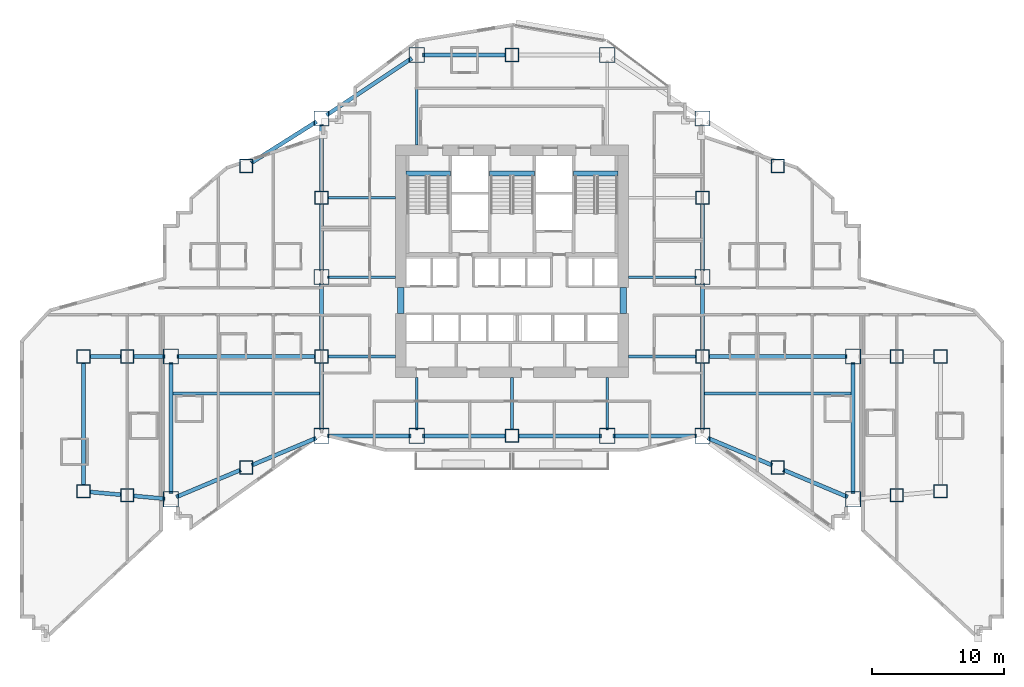
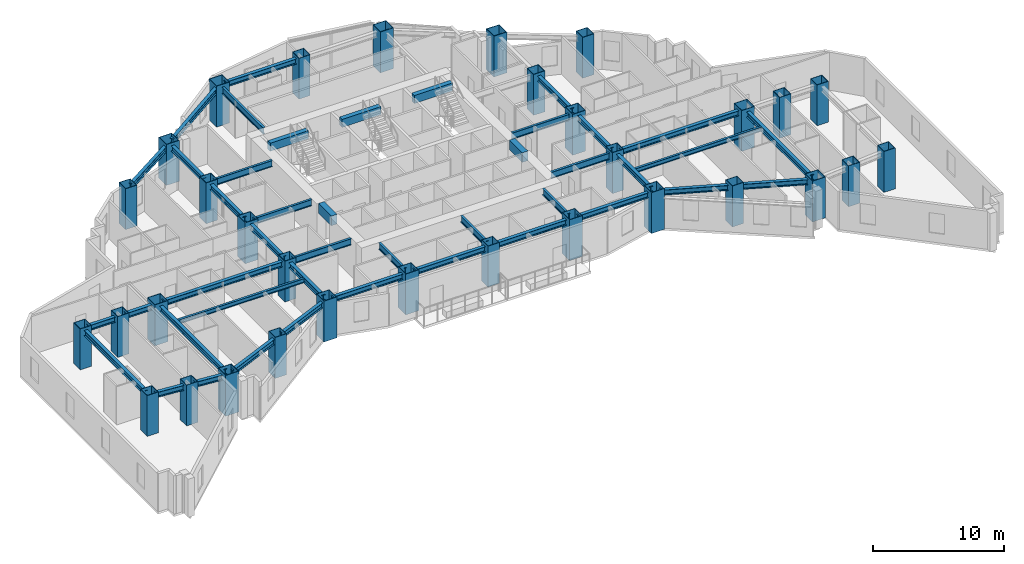
# One storey, part 1 of 16: 43 beams, 32 columns.
"""IFC4 building model written with IfcOpenShell, lengths in metres."""

from ifc_helpers import new_model, si_unit, direction, frame, origin, origin_2d, place, context, subcontext, project, spatial, rectangle, hollow_rectangle, i_section, extrude, material, material_profile, profile_set, type_object, element, save


model = new_model("IFC4")

# Units and contexts
model_context = context("Model", 3, precision=1e-05, world=origin(), true_north=direction((0.0, 1.0)))
body_context = subcontext(model_context, "Body", "Model", "MODEL_VIEW")
ifc_project = project(units=[si_unit("LENGTHUNIT", "METRE"), si_unit("AREAUNIT", "SQUARE_METRE"), si_unit("VOLUMEUNIT", "CUBIC_METRE"), si_unit("PLANEANGLEUNIT", "RADIAN"), si_unit("MASSUNIT", "GRAM", prefix="KILO")], contexts=[model_context])

# Site, building, storey
site_placement = place(None, origin())
site = spatial("IfcSite", under=ifc_project, at=site_placement, CompositionType="ELEMENT")
building_placement = place(site_placement, origin())
building = spatial("IfcBuilding", under=site, at=building_placement, Name="Haolan Belvedere Tower", CompositionType="ELEMENT")
storey_placement = place(building_placement, frame((0.0, 0.0, 85.60009765625)))
storey = spatial("IfcBuildingStorey", under=building, at=storey_placement, Name="L21", CompositionType="ELEMENT", Elevation=85.60009765625)

# Columns
ifc_material_1 = material(Name="Steel Q420GJC", Category="steel")
ifc_material_profile_1 = material_profile(ifc_material_1, hollow_rectangle(XDim=1.0, YDim=1.0, WallThickness=0.0380859375, at=origin_2d()), Name="Steel Q420GJC")
ifc_profile_set_1 = profile_set([ifc_material_profile_1], Name="Steel Q420GJC")
column_type_1 = type_object("IfcColumnType", Name="COL-BOX1000x1000x38", PredefinedType="COLUMN", material=ifc_profile_set_1)
for number, where, z_axis, x_axis, name in (
    (1, (6.0, 17.39990234375, 0.0), (0.0, 0.0, 1.0), (1.0, 0.0, 0.0), "L21 column MC-T1-SW (BOX1000x1000x38)"),
    (2, (6.0, 27.60009765625, 0.0), (0.0, 0.0, 1.0), (1.0, 0.0, 0.0), "L21 column MC-T1-NW (BOX1000x1000x38)"),
    (3, (70.800048828125, 17.39990234375, 0.0), (0.0, 0.0, 1.0), (1.0, 0.0, 0.0), "L21 column MC-T5-SE (BOX1000x1000x38)"),
    (4, (70.800048828125, 27.60009765625, 0.0), (0.0, 0.0, 1.0), (1.0, 0.0, 0.0), "L21 column MC-T5-NE (BOX1000x1000x38)"),
    (5, (24.0, 27.60009765625, 0.0), (0.0, 0.0, 1.0), (1.0, 0.0, 0.0), "L21 column TC-T3-W1 (BOX1000x1000x38)"),
    (6, (24.0, 39.60009765625, 0.0), (0.0, 0.0, 1.0), (1.0, 0.0, 0.0), "L21 column TC-T3-W2 (BOX1000x1000x38)"),
    (7, (52.800048828125, 27.60009765625, 0.0), (0.0, 0.0, 1.0), (1.0, 0.0, 0.0), "L21 column TC-T3-E1 (BOX1000x1000x38)"),
    (8, (52.800048828125, 39.60009765625, 0.0), (0.0, 0.0, 1.0), (1.0, 0.0, 0.0), "L21 column TC-T3-E2 (BOX1000x1000x38)"),
    (9, (38.39990234375, 21.60009765625, 0.0), (0.0, 0.0, 1.0), (1.0, 0.0, 0.0), "L21 column TC-T3-SM (BOX1000x1000x38)"),
    (10, (38.39990234375, 50.39990234375, 0.0), (0.0, 0.0, 1.0), (1.0, 0.0, 0.0), "L21 column TC-T3-NM (BOX1000x1000x38)"),
    (11, (18.300048828125, 19.199951171875, 0.0), (0.0, 0.0, 1.0), (1.0, 0.0, 0.0), "L21 column TC-T2-S1 (BOX1000x1000x38)"),
    (12, (18.300048828125, 42.0, 0.0), (0.0, 0.0, 1.0), (1.0, 0.0, 0.0), "L21 column TC-T2-N1 (BOX1000x1000x38)"),
    (13, (58.5, 19.199951171875, 0.0), (0.0, 0.0, 1.0), (1.0, 0.0, 0.0), "L21 column TC-T4-S1 (BOX1000x1000x38)"),
    (14, (58.5, 42.0, 0.0), (0.0, 0.0, 1.0), (1.0, 0.0, 0.0), "L21 column TC-T4-N1 (BOX1000x1000x38)"),
    (15, (9.300048828125, 17.10009765625, 0.0), (0.0, 0.0, 1.0), (1.0, 0.0, 0.0), "L21 column TC-T1-M1 (BOX1000x1000x38)"),
    (16, (9.300048828125, 27.60009765625, 0.0), (0.0, 0.0, 1.0), (1.0, 0.0, 0.0), "L21 column TC-T1-M2 (BOX1000x1000x38)"),
    (17, (67.5, 17.10009765625, 0.0), (0.0, 0.0, 1.0), (1.0, 0.0, 0.0), "L21 column TC-T5-M1 (BOX1000x1000x38)"),
    (18, (67.5, 27.60009765625, 0.0), (0.0, 0.0, 1.0), (1.0, 0.0, 0.0), "L21 column TC-T5-M2 (BOX1000x1000x38)"),
):
    element("IfcColumn", number, at=place(storey_placement, frame(where, z_axis=z_axis, x_axis=x_axis)), inside=storey, type_object=column_type_1, Name=name, PredefinedType="COLUMN", context=body_context, shape_type="SweptSolid", body=[
        extrude(hollow_rectangle(XDim=1.0, YDim=1.0, WallThickness=0.0380859375, at=origin_2d()), origin(), (0.0, 0.0, 1.0), 3.7998046875),
    ])
ifc_material_2 = material(Name="Steel Q355B", Category="steel")
ifc_material_profile_2 = material_profile(ifc_material_2, hollow_rectangle(XDim=1.14990234375, YDim=1.14990234375, WallThickness=0.0419921875, at=origin_2d()), Name="Steel Q355B")
ifc_profile_set_2 = profile_set([ifc_material_profile_2], Name="Steel Q355B")
column_type_2 = type_object("IfcColumnType", Name="COL-BOX1150x1150x42", PredefinedType="COLUMN", material=ifc_profile_set_2)
for number, where, z_axis, x_axis, name in (
    (19, (24.0, 21.60009765625, 0.0), (0.0, 0.0, 1.0), (1.0, 0.0, 0.0), "L21 column MC-T3-SW (BOX1150x1150x42)"),
    (20, (24.0, 33.60009765625, 0.0), (0.0, 0.0, 1.0), (1.0, 0.0, 0.0), "L21 column MC-T3-MW (BOX1150x1150x42)"),
    (21, (24.0, 45.60009765625, 0.0), (0.0, 0.0, 1.0), (1.0, 0.0, 0.0), "L21 column MC-T3-NW (BOX1150x1150x42)"),
    (22, (52.800048828125, 21.60009765625, 0.0), (0.0, 0.0, 1.0), (1.0, 0.0, 0.0), "L21 column MC-T3-SE (BOX1150x1150x42)"),
    (23, (52.800048828125, 33.60009765625, 0.0), (0.0, 0.0, 1.0), (1.0, 0.0, 0.0), "L21 column MC-T3-ME (BOX1150x1150x42)"),
    (24, (52.800048828125, 45.60009765625, 0.0), (0.0, 0.0, 1.0), (1.0, 0.0, 0.0), "L21 column MC-T3-NE (BOX1150x1150x42)"),
    (25, (31.199951171875, 21.60009765625, 0.0), (0.0, 0.0, 1.0), (1.0, 0.0, 0.0), "L21 column MC-T3-S1 (BOX1150x1150x42)"),
    (26, (45.60009765625, 21.60009765625, 0.0), (0.0, 0.0, 1.0), (1.0, 0.0, 0.0), "L21 column MC-T3-S2 (BOX1150x1150x42)"),
    (27, (31.199951171875, 50.39990234375, 0.0), (0.0, 0.0, 1.0), (1.0, 0.0, 0.0), "L21 column MC-T3-N1 (BOX1150x1150x42)"),
    (28, (45.60009765625, 50.39990234375, 0.0), (0.0, 0.0, 1.0), (1.0, 0.0, 0.0), "L21 column MC-T3-N2 (BOX1150x1150x42)"),
    (29, (12.60009765625, 16.800048828125, 0.0), (0.0, 0.0, 1.0), (1.0, 0.0, 0.0), "L21 column MC-T2-SW (BOX1150x1150x42)"),
    (30, (12.60009765625, 27.60009765625, 0.0), (0.0, 0.0, 1.0), (1.0, 0.0, 0.0), "L21 column MC-T2-MW (BOX1150x1150x42)"),
    (31, (64.199951171875, 16.800048828125, 0.0), (0.0, 0.0, 1.0), (1.0, 0.0, 0.0), "L21 column MC-T4-SE (BOX1150x1150x42)"),
    (32, (64.199951171875, 27.60009765625, 0.0), (0.0, 0.0, 1.0), (1.0, 0.0, 0.0), "L21 column MC-T4-ME (BOX1150x1150x42)"),
):
    element("IfcColumn", number, at=place(storey_placement, frame(where, z_axis=z_axis, x_axis=x_axis)), inside=storey, type_object=column_type_2, Name=name, PredefinedType="COLUMN", context=body_context, shape_type="SweptSolid", body=[
        extrude(hollow_rectangle(XDim=1.14990234375, YDim=1.14990234375, WallThickness=0.0419921875, at=origin_2d()), origin(), (0.0, 0.0, 1.0), 3.7998046875),
    ])

# Beams
ifc_material_profile_3 = material_profile(ifc_material_2, i_section(OverallWidth=0.300048828125, OverallDepth=0.488037109375, WebThickness=0.010986328125, FlangeThickness=0.01806640625, FilletRadius=0.02587890625, at=origin_2d()), Name="Steel Q355B")
ifc_profile_set_3 = profile_set([ifc_material_profile_3], Name="Steel Q355B")
beam_type_1 = type_object("IfcBeamType", Name="BM-HM488x300x11x18", PredefinedType="SPANDREL", material=ifc_profile_set_3)
for number, where, z_axis, x_axis, name in (
    (33, (24.0, 22.050048828125, 3.2958984375), (0.0, 1.0, 0.0), (-1.0, 0.0, 0.0), "L21 spandrel girder MC-T3-SW-TC-T3-W1"),
    (34, (24.0, 28.050048828125, 3.2958984375), (0.0, 1.0, 0.0), (-1.0, 0.0, 0.0), "L21 spandrel girder TC-T3-W1-MC-T3-MW"),
    (35, (24.0, 34.050048828125, 3.2958984375), (0.0, 1.0, 0.0), (-1.0, 0.0, 0.0), "L21 spandrel girder MC-T3-MW-TC-T3-W2"),
    (36, (24.0, 40.050048828125, 3.2958984375), (0.0, 1.0, 0.0), (-1.0, 0.0, 0.0), "L21 spandrel girder TC-T3-W2-MC-T3-NW"),
    (37, (52.800048828125, 22.050048828125, 3.2958984375), (0.0, 1.0, 0.0), (-1.0, 0.0, 0.0), "L21 spandrel girder MC-T3-SE-TC-T3-E1"),
    (38, (52.800048828125, 28.050048828125, 3.2958984375), (0.0, 1.0, 0.0), (-1.0, 0.0, 0.0), "L21 spandrel girder TC-T3-E1-MC-T3-ME"),
    (39, (52.800048828125, 34.050048828125, 3.2958984375), (0.0, 1.0, 0.0), (-1.0, 0.0, 0.0), "L21 spandrel girder MC-T3-ME-TC-T3-E2"),
):
    element("IfcBeam", number, at=place(storey_placement, frame(where, z_axis=z_axis, x_axis=x_axis)), inside=storey, type_object=beam_type_1, Name=name, PredefinedType="SPANDREL", context=body_context, shape_type="SweptSolid", body=[
        extrude(i_section(OverallWidth=0.300048828125, OverallDepth=0.488037109375, WebThickness=0.010986328125, FlangeThickness=0.01806640625, FilletRadius=0.02587890625, at=origin_2d()), origin(), (0.0, 0.0, 1.0), 5.099853515625),
    ])
for number, where, z_axis, x_axis, name in (
    (40, (24.449951171875, 21.60009765625, 3.2958984375), (1.0, 0.0, 0.0), (0.0, 1.0, 0.0), "L21 spandrel girder MC-T3-SW-MC-T3-S1"),
    (41, (31.64990234375, 21.60009765625, 3.2958984375), (1.0, 0.0, 0.0), (0.0, 1.0, 0.0), "L21 spandrel girder MC-T3-S1-TC-T3-SM"),
):
    element("IfcBeam", number, at=place(storey_placement, frame(where, z_axis=z_axis, x_axis=x_axis)), inside=storey, type_object=beam_type_1, Name=name, PredefinedType="SPANDREL", context=body_context, shape_type="SweptSolid", body=[
        extrude(i_section(OverallWidth=0.300048828125, OverallDepth=0.488037109375, WebThickness=0.010986328125, FlangeThickness=0.01806640625, FilletRadius=0.02587890625, at=origin_2d()), origin(), (0.0, 0.0, 1.0), 6.300048828125),
    ])
beam_1_placement = place(storey_placement, frame((38.85009765625, 21.60009765625, 3.2958984375), z_axis=(1.0, 0.0, 0.0), x_axis=(0.0, 1.0, 0.0)))
element("IfcBeam", 42, at=beam_1_placement, inside=storey, type_object=beam_type_1, Name="L21 spandrel girder TC-T3-SM-MC-T3-S2", PredefinedType="SPANDREL", context=body_context, shape_type="SweptSolid", body=[
    extrude(i_section(OverallWidth=0.300048828125, OverallDepth=0.488037109375, WebThickness=0.010986328125, FlangeThickness=0.01806640625, FilletRadius=0.02587890625, at=origin_2d()), origin(), (0.0, 0.0, 1.0), 6.2998046875),
])
beam_2_placement = place(storey_placement, frame((46.050048828125, 21.60009765625, 3.2958984375), z_axis=(1.0, 0.0, 0.0), x_axis=(0.0, 1.0, 0.0)))
element("IfcBeam", 43, at=beam_2_placement, inside=storey, type_object=beam_type_1, Name="L21 spandrel girder MC-T3-S2-MC-T3-SE", PredefinedType="SPANDREL", context=body_context, shape_type="SweptSolid", body=[
    extrude(i_section(OverallWidth=0.300048828125, OverallDepth=0.488037109375, WebThickness=0.010986328125, FlangeThickness=0.01806640625, FilletRadius=0.02587890625, at=origin_2d()), origin(), (0.0, 0.0, 1.0), 6.300048828125),
])
beam_3_placement = place(storey_placement, frame((24.37451171875, 45.849609375, 3.2958984375), z_axis=(0.832050294338, 0.554700196225, 0.0), x_axis=(-0.554700196225, 0.832050294338, 0.0)))
element("IfcBeam", 44, at=beam_3_placement, inside=storey, type_object=beam_type_1, Name="L21 spandrel girder MC-T3-NW-MC-T3-N1", PredefinedType="SPANDREL", context=body_context, shape_type="SweptSolid", body=[
    extrude(i_section(OverallWidth=0.300048828125, OverallDepth=0.488037109375, WebThickness=0.010986328125, FlangeThickness=0.01806640625, FilletRadius=0.02587890625, at=origin_2d()), origin(), (0.0, 0.0, 1.0), 7.75341796875),
])
beam_4_placement = place(storey_placement, frame((31.64990234375, 50.39990234375, 3.2958984375), z_axis=(1.0, 0.0, 0.0), x_axis=(0.0, 1.0, 0.0)))
element("IfcBeam", 45, at=beam_4_placement, inside=storey, type_object=beam_type_1, Name="L21 spandrel girder MC-T3-N1-TC-T3-NM", PredefinedType="SPANDREL", context=body_context, shape_type="SweptSolid", body=[
    extrude(i_section(OverallWidth=0.300048828125, OverallDepth=0.488037109375, WebThickness=0.010986328125, FlangeThickness=0.01806640625, FilletRadius=0.02587890625, at=origin_2d()), origin(), (0.0, 0.0, 1.0), 6.300048828125),
])
beam_5_placement = place(storey_placement, frame((12.60009765625, 17.25, 3.2958984375), z_axis=(0.0, 1.0, 0.0), x_axis=(-1.0, 0.0, 0.0)))
element("IfcBeam", 46, at=beam_5_placement, inside=storey, type_object=beam_type_1, Name="L21 spandrel girder MC-T2-SW-MC-T2-MW", PredefinedType="SPANDREL", context=body_context, shape_type="SweptSolid", body=[
    extrude(i_section(OverallWidth=0.300048828125, OverallDepth=0.488037109375, WebThickness=0.010986328125, FlangeThickness=0.01806640625, FilletRadius=0.02587890625, at=origin_2d()), origin(), (0.0, 0.0, 1.0), 9.89990234375),
])
beam_6_placement = place(storey_placement, frame((13.0146484375, 16.974609375, 3.2958984375), z_axis=(0.921635375138, 0.388057000058, 0.0), x_axis=(-0.388057000058, 0.921635375138, 0.0)))
element("IfcBeam", 47, at=beam_6_placement, inside=storey, type_object=beam_type_1, Name="L21 spandrel girder MC-T2-SW-TC-T2-S1", PredefinedType="SPANDREL", context=body_context, shape_type="SweptSolid", body=[
    extrude(i_section(OverallWidth=0.300048828125, OverallDepth=0.488037109375, WebThickness=0.010986328125, FlangeThickness=0.01806640625, FilletRadius=0.02587890625, at=origin_2d()), origin(), (0.0, 0.0, 1.0), 5.28466796875),
])
beam_7_placement = place(storey_placement, frame((18.71484375, 19.37451171875, 3.2958984375), z_axis=(0.92162841793, 0.388073523014, 0.0), x_axis=(-0.388073523014, 0.92162841793, 0.0)))
element("IfcBeam", 48, at=beam_7_placement, inside=storey, type_object=beam_type_1, Name="L21 spandrel girder TC-T2-S1-MC-T3-SW", PredefinedType="SPANDREL", context=body_context, shape_type="SweptSolid", body=[
    extrude(i_section(OverallWidth=0.300048828125, OverallDepth=0.488037109375, WebThickness=0.010986328125, FlangeThickness=0.01806640625, FilletRadius=0.02587890625, at=origin_2d()), origin(), (0.0, 0.0, 1.0), 5.284423828125),
])
beam_8_placement = place(storey_placement, frame((18.680419921875, 42.240234375, 3.2958984375), z_axis=(0.845497840649, 0.533978839898, 0.0), x_axis=(-0.533978839898, 0.845497840649, 0.0)))
element("IfcBeam", 49, at=beam_8_placement, inside=storey, type_object=beam_type_1, Name="L21 spandrel girder TC-T2-N1-MC-T3-NW", PredefinedType="SPANDREL", context=body_context, shape_type="SweptSolid", body=[
    extrude(i_section(OverallWidth=0.300048828125, OverallDepth=0.488037109375, WebThickness=0.010986328125, FlangeThickness=0.01806640625, FilletRadius=0.02587890625, at=origin_2d()), origin(), (0.0, 0.0, 1.0), 5.841796875),
])
beam_9_placement = place(storey_placement, frame((13.050048828125, 27.60009765625, 3.2958984375), z_axis=(1.0, 0.0, 0.0), x_axis=(0.0, 1.0, 0.0)))
element("IfcBeam", 50, at=beam_9_placement, inside=storey, type_object=beam_type_1, Name="L21 spandrel girder MC-T2-MW-TC-T3-W1", PredefinedType="SPANDREL", context=body_context, shape_type="SweptSolid", body=[
    extrude(i_section(OverallWidth=0.300048828125, OverallDepth=0.488037109375, WebThickness=0.010986328125, FlangeThickness=0.01806640625, FilletRadius=0.02587890625, at=origin_2d()), origin(), (0.0, 0.0, 1.0), 10.5),
])
beam_10_placement = place(storey_placement, frame((64.199951171875, 17.25, 3.2958984375), z_axis=(0.0, 1.0, 0.0), x_axis=(-1.0, 0.0, 0.0)))
element("IfcBeam", 51, at=beam_10_placement, inside=storey, type_object=beam_type_1, Name="L21 spandrel girder MC-T4-SE-MC-T4-ME", PredefinedType="SPANDREL", context=body_context, shape_type="SweptSolid", body=[
    extrude(i_section(OverallWidth=0.300048828125, OverallDepth=0.488037109375, WebThickness=0.010986328125, FlangeThickness=0.01806640625, FilletRadius=0.02587890625, at=origin_2d()), origin(), (0.0, 0.0, 1.0), 9.89990234375),
])
for number, where, z_axis, x_axis, name in (
    (52, (53.21484375, 21.42529296875, 3.2958984375), (0.92162841793, -0.388073523014, 0.0), (0.388073523014, 0.92162841793, 0.0), "L21 spandrel girder MC-T3-SE-TC-T4-S1"),
    (53, (58.914794921875, 19.025390625, 3.2958984375), (0.92162841793, -0.388073523014, 0.0), (0.388073523014, 0.92162841793, 0.0), "L21 spandrel girder TC-T4-S1-MC-T4-SE"),
):
    element("IfcBeam", number, at=place(storey_placement, frame(where, z_axis=z_axis, x_axis=x_axis)), inside=storey, type_object=beam_type_1, Name=name, PredefinedType="SPANDREL", context=body_context, shape_type="SweptSolid", body=[
        extrude(i_section(OverallWidth=0.300048828125, OverallDepth=0.488037109375, WebThickness=0.010986328125, FlangeThickness=0.01806640625, FilletRadius=0.02587890625, at=origin_2d()), origin(), (0.0, 0.0, 1.0), 5.284423828125),
    ])
beam_11_placement = place(storey_placement, frame((53.25, 27.60009765625, 3.2958984375), z_axis=(1.0, 0.0, 0.0), x_axis=(0.0, 1.0, 0.0)))
element("IfcBeam", 54, at=beam_11_placement, inside=storey, type_object=beam_type_1, Name="L21 spandrel girder TC-T3-E1-MC-T4-ME", PredefinedType="SPANDREL", context=body_context, shape_type="SweptSolid", body=[
    extrude(i_section(OverallWidth=0.300048828125, OverallDepth=0.488037109375, WebThickness=0.010986328125, FlangeThickness=0.01806640625, FilletRadius=0.02587890625, at=origin_2d()), origin(), (0.0, 0.0, 1.0), 10.5),
])
beam_12_placement = place(storey_placement, frame((6.0, 17.85009765625, 3.2958984375), z_axis=(0.0, 1.0, 0.0), x_axis=(-1.0, 0.0, 0.0)))
element("IfcBeam", 55, at=beam_12_placement, inside=storey, type_object=beam_type_1, Name="L21 spandrel girder MC-T1-SW-MC-T1-NW", PredefinedType="SPANDREL", context=body_context, shape_type="SweptSolid", body=[
    extrude(i_section(OverallWidth=0.300048828125, OverallDepth=0.488037109375, WebThickness=0.010986328125, FlangeThickness=0.01806640625, FilletRadius=0.02587890625, at=origin_2d()), origin(), (0.0, 0.0, 1.0), 9.2998046875),
])
beam_13_placement = place(storey_placement, frame((6.4482421875, 17.359375, 3.2958984375), z_axis=(0.995884080761, -0.090636072764, 0.0), x_axis=(0.090636072764, 0.995884080761, 0.0)))
element("IfcBeam", 56, at=beam_13_placement, inside=storey, type_object=beam_type_1, Name="L21 spandrel girder MC-T1-SW-TC-T1-M1", PredefinedType="SPANDREL", context=body_context, shape_type="SweptSolid", body=[
    extrude(i_section(OverallWidth=0.300048828125, OverallDepth=0.488037109375, WebThickness=0.010986328125, FlangeThickness=0.01806640625, FilletRadius=0.02587890625, at=origin_2d()), origin(), (0.0, 0.0, 1.0), 2.41357421875),
])
beam_14_placement = place(storey_placement, frame((9.748046875, 17.059326171875, 3.2958984375), z_axis=(0.9958940355, -0.090526626221, 0.0), x_axis=(0.090526626221, 0.9958940355, 0.0)))
element("IfcBeam", 57, at=beam_14_placement, inside=storey, type_object=beam_type_1, Name="L21 spandrel girder TC-T1-M1-MC-T2-SW", PredefinedType="SPANDREL", context=body_context, shape_type="SweptSolid", body=[
    extrude(i_section(OverallWidth=0.300048828125, OverallDepth=0.488037109375, WebThickness=0.010986328125, FlangeThickness=0.01806640625, FilletRadius=0.02587890625, at=origin_2d()), origin(), (0.0, 0.0, 1.0), 2.413818359375),
])
beam_15_placement = place(storey_placement, frame((6.449951171875, 27.60009765625, 3.2958984375), z_axis=(1.0, 0.0, 0.0), x_axis=(0.0, 1.0, 0.0)))
element("IfcBeam", 58, at=beam_15_placement, inside=storey, type_object=beam_type_1, Name="L21 spandrel girder MC-T1-NW-TC-T1-M2", PredefinedType="SPANDREL", context=body_context, shape_type="SweptSolid", body=[
    extrude(i_section(OverallWidth=0.300048828125, OverallDepth=0.488037109375, WebThickness=0.010986328125, FlangeThickness=0.01806640625, FilletRadius=0.02587890625, at=origin_2d()), origin(), (0.0, 0.0, 1.0), 2.400146484375),
])
beam_16_placement = place(storey_placement, frame((9.75, 27.60009765625, 3.2958984375), z_axis=(1.0, 0.0, 0.0), x_axis=(0.0, 1.0, 0.0)))
element("IfcBeam", 59, at=beam_16_placement, inside=storey, type_object=beam_type_1, Name="L21 spandrel girder TC-T1-M2-MC-T2-MW", PredefinedType="SPANDREL", context=body_context, shape_type="SweptSolid", body=[
    extrude(i_section(OverallWidth=0.300048828125, OverallDepth=0.488037109375, WebThickness=0.010986328125, FlangeThickness=0.01806640625, FilletRadius=0.02587890625, at=origin_2d()), origin(), (0.0, 0.0, 1.0), 2.39990234375),
])
ifc_material_profile_4 = material_profile(ifc_material_2, i_section(OverallWidth=0.199951171875, OverallDepth=0.39990234375, WebThickness=0.008056640625, FlangeThickness=0.012939453125, FilletRadius=0.01611328125, at=origin_2d()), Name="Steel Q355B")
ifc_profile_set_4 = profile_set([ifc_material_profile_4], Name="Steel Q355B")
beam_type_2 = type_object("IfcBeamType", Name="BM-HN400x200x8x13", PredefinedType="JOIST", material=ifc_profile_set_4)
for number, where, z_axis, x_axis, name in (
    (60, (12.75, 24.800048828125, 3.33984375), (1.0, 0.0, 0.0), (0.0, 1.0, 0.0), "L21 west wing floor joist 1"),
    (61, (52.949951171875, 24.800048828125, 3.33984375), (1.0, 0.0, 0.0), (0.0, 1.0, 0.0), "L21 east wing floor joist 1"),
):
    element("IfcBeam", number, at=place(storey_placement, frame(where, z_axis=z_axis, x_axis=x_axis)), inside=storey, type_object=beam_type_2, Name=name, PredefinedType="JOIST", context=body_context, shape_type="SweptSolid", body=[
        extrude(i_section(OverallWidth=0.199951171875, OverallDepth=0.39990234375, WebThickness=0.008056640625, FlangeThickness=0.012939453125, FilletRadius=0.01611328125, at=origin_2d()), origin(), (0.0, 0.0, 1.0), 11.10009765625),
    ])
ifc_material_profile_5 = material_profile(ifc_material_2, i_section(OverallWidth=0.199951171875, OverallDepth=0.60009765625, WebThickness=0.010986328125, FlangeThickness=0.01708984375, FilletRadius=0.02197265625, at=origin_2d()), Name="Steel Q355B")
ifc_profile_set_5 = profile_set([ifc_material_profile_5], Name="Steel Q355B")
beam_type_3 = type_object("IfcBeamType", Name="BM-HN600x200x11x17", PredefinedType="BEAM", material=ifc_profile_set_5)
for number, where, z_axis, x_axis, name in (
    (62, (24.449951171875, 33.60009765625, 3.239990234375), (1.0, 0.0, 0.0), (0.0, 1.0, 0.0), "L21 core tie beam from MC-T3-MW"),
    (63, (24.449951171875, 27.60009765625, 3.239990234375), (1.0, 0.0, 0.0), (0.0, 1.0, 0.0), "L21 core tie beam from TC-T3-W1"),
    (64, (24.449951171875, 39.60009765625, 3.239990234375), (1.0, 0.0, 0.0), (0.0, 1.0, 0.0), "L21 core tie beam from TC-T3-W2"),
    (65, (52.35009765625, 33.60009765625, 3.239990234375), (-1.0, 0.0, 0.0), (0.0, -1.0, 0.0), "L21 core tie beam from MC-T3-ME"),
    (66, (52.35009765625, 27.60009765625, 3.239990234375), (-1.0, 0.0, 0.0), (0.0, -1.0, 0.0), "L21 core tie beam from TC-T3-E1"),
):
    element("IfcBeam", number, at=place(storey_placement, frame(where, z_axis=z_axis, x_axis=x_axis)), inside=storey, type_object=beam_type_3, Name=name, PredefinedType="BEAM", context=body_context, shape_type="SweptSolid", body=[
        extrude(i_section(OverallWidth=0.199951171875, OverallDepth=0.60009765625, WebThickness=0.010986328125, FlangeThickness=0.01708984375, FilletRadius=0.02197265625, at=origin_2d()), origin(), (0.0, 0.0, 1.0), 5.150146484375),
    ])
for number, where, z_axis, x_axis, name in (
    (67, (31.199951171875, 22.050048828125, 3.239990234375), (0.0, 1.0, 0.0), (-1.0, 0.0, 0.0), "L21 core tie beam from MC-T3-S1"),
    (68, (38.39990234375, 22.050048828125, 3.239990234375), (0.0, 1.0, 0.0), (-1.0, 0.0, 0.0), "L21 core tie beam from TC-T3-SM"),
    (69, (45.60009765625, 22.050048828125, 3.239990234375), (0.0, 1.0, 0.0), (-1.0, 0.0, 0.0), "L21 core tie beam from MC-T3-S2"),
):
    element("IfcBeam", number, at=place(storey_placement, frame(where, z_axis=z_axis, x_axis=x_axis)), inside=storey, type_object=beam_type_3, Name=name, PredefinedType="BEAM", context=body_context, shape_type="SweptSolid", body=[
        extrude(i_section(OverallWidth=0.199951171875, OverallDepth=0.60009765625, WebThickness=0.010986328125, FlangeThickness=0.01708984375, FilletRadius=0.02197265625, at=origin_2d()), origin(), (0.0, 0.0, 1.0), 3.949951171875),
    ])
beam_17_placement = place(storey_placement, frame((31.199951171875, 49.949951171875, 3.239990234375), z_axis=(0.0, -1.0, 0.0), x_axis=(1.0, 0.0, 0.0)))
element("IfcBeam", 70, at=beam_17_placement, inside=storey, type_object=beam_type_3, Name="L21 core tie beam from MC-T3-N1", PredefinedType="BEAM", context=body_context, shape_type="SweptSolid", body=[
    extrude(i_section(OverallWidth=0.199951171875, OverallDepth=0.60009765625, WebThickness=0.010986328125, FlangeThickness=0.01708984375, FilletRadius=0.02197265625, at=origin_2d()), origin(), (0.0, 0.0, 1.0), 6.349853515625),
])
ifc_material_3 = material(Name="Concrete C50/60", Category="concrete")
ifc_material_profile_6 = material_profile(ifc_material_3, rectangle(XDim=0.39990234375, YDim=0.75, at=origin_2d()), Name="Concrete C50/60")
ifc_profile_set_6 = profile_set([ifc_material_profile_6], Name="Concrete C50/60")
beam_type_4 = type_object("IfcBeamType", Name="BM-RC400x750", PredefinedType="T_BEAM", material=ifc_profile_set_6)
beam_18_placement = place(storey_placement, frame((30.3798828125, 41.429931640625, 3.4248046875), z_axis=(1.0, 0.0, 0.0), x_axis=(0.0, 1.0, 0.0)))
element("IfcBeam", 71, at=beam_18_placement, inside=storey, type_object=beam_type_4, Name="L22 stair ST1 RC header trimmer beam", PredefinedType="BEAM", context=body_context, shape_type="SweptSolid", body=[
    extrude(rectangle(XDim=0.39990234375, YDim=0.75, at=origin_2d()), origin(), (0.0, 0.0, 1.0), 3.360107421875),
])
beam_19_placement = place(storey_placement, frame((36.699951171875, 41.429931640625, 3.4248046875), z_axis=(1.0, 0.0, 0.0), x_axis=(0.0, 1.0, 0.0)))
element("IfcBeam", 72, at=beam_19_placement, inside=storey, type_object=beam_type_4, Name="L22 stair ST3 RC header trimmer beam", PredefinedType="BEAM", context=body_context, shape_type="SweptSolid", body=[
    extrude(rectangle(XDim=0.39990234375, YDim=0.75, at=origin_2d()), origin(), (0.0, 0.0, 1.0), 3.400146484375),
])
beam_20_placement = place(storey_placement, frame((43.06005859375, 41.429931640625, 3.4248046875), z_axis=(1.0, 0.0, 0.0), x_axis=(0.0, 1.0, 0.0)))
element("IfcBeam", 73, at=beam_20_placement, inside=storey, type_object=beam_type_4, Name="L22 stair ST2 RC header trimmer beam", PredefinedType="BEAM", context=body_context, shape_type="SweptSolid", body=[
    extrude(rectangle(XDim=0.39990234375, YDim=0.75, at=origin_2d()), origin(), (0.0, 0.0, 1.0), 3.35986328125),
])
ifc_material_4 = material(Name="Concrete C60/75", Category="concrete")
ifc_material_profile_7 = material_profile(ifc_material_4, rectangle(XDim=0.5, YDim=0.89990234375, at=origin_2d()), Name="Concrete C60/75")
ifc_profile_set_7 = profile_set([ifc_material_profile_7], Name="Concrete C60/75")
beam_type_5 = type_object("IfcBeamType", Name="BM-RC500x900", PredefinedType="LINTEL", material=ifc_profile_set_7)
for number, where, z_axis, x_axis, name in (
    (74, (30.0, 30.85009765625, 3.08984375), (0.0, 1.0, 0.0), (-1.0, 0.0, 0.0), "L21 west core coupling beam CB-01"),
    (75, (46.800048828125, 30.85009765625, 3.08984375), (0.0, 1.0, 0.0), (-1.0, 0.0, 0.0), "L21 east core coupling beam CB-01"),
):
    element("IfcBeam", number, at=place(storey_placement, frame(where, z_axis=z_axis, x_axis=x_axis)), inside=storey, type_object=beam_type_5, Name=name, PredefinedType="LINTEL", context=body_context, shape_type="SweptSolid", body=[
        extrude(rectangle(XDim=0.5, YDim=0.89990234375, at=origin_2d()), origin(), (0.0, 0.0, 1.0), 1.949951171875),
    ])

save(model, "model.ifc")
